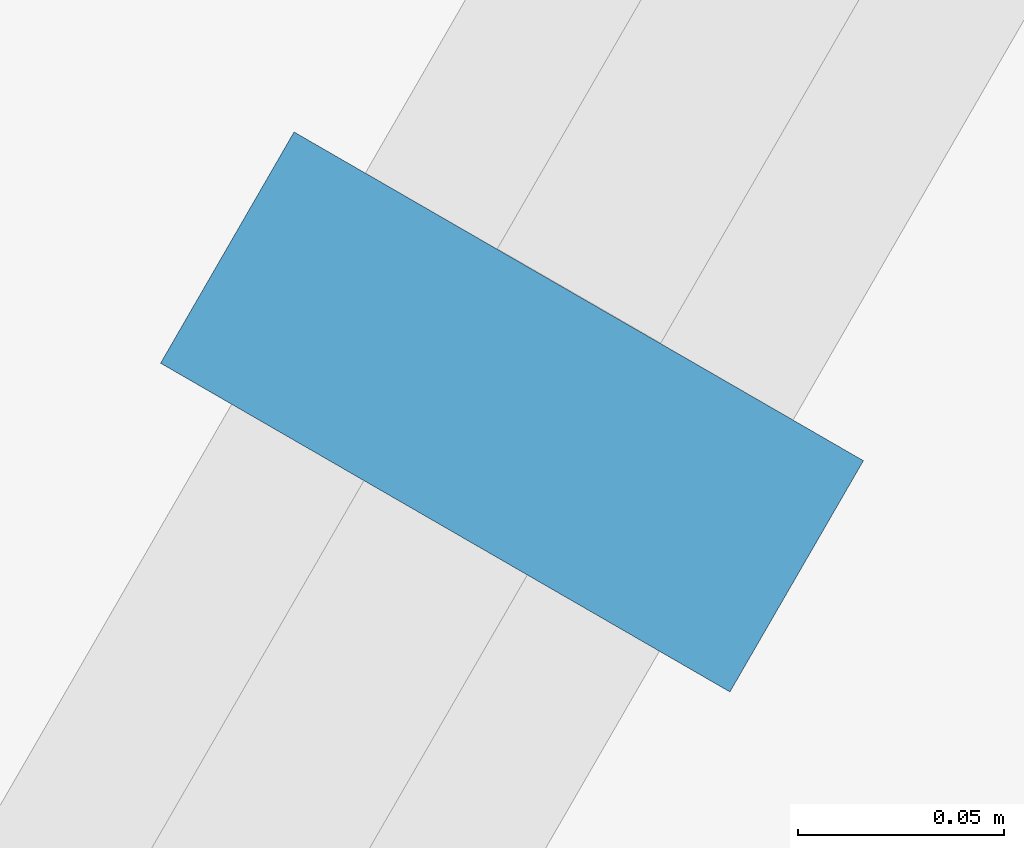
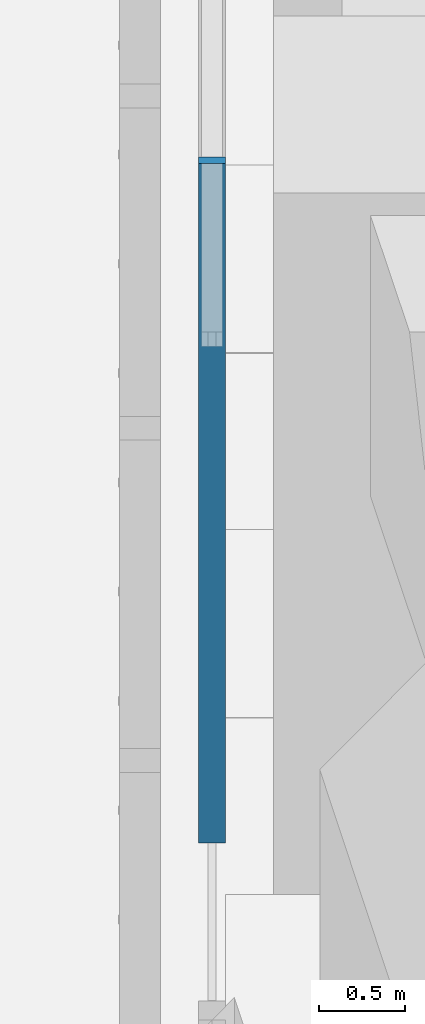
# One storey, part 137 of 228: 1 member, 1 element without a shape of its own.
"""IFC4 building model written with IfcOpenShell, lengths in metres."""

from ifc_helpers import new_model, si_unit, direction, frame, origin, origin_2d, place, context, subcontext, project, spatial, rectangle, extrude, material, material_profile, profile_set, type_object, element, aggregate, save


model = new_model("IFC4")

# Units and contexts
model_context = context("Model", 3, precision=1e-05, world=origin(), true_north=direction((0.0, 1.0)))
body_context = subcontext(model_context, "Body", "Model", "MODEL_VIEW")
ifc_project = project(units=[si_unit("LENGTHUNIT", "METRE"), si_unit("AREAUNIT", "SQUARE_METRE"), si_unit("VOLUMEUNIT", "CUBIC_METRE"), si_unit("PLANEANGLEUNIT", "RADIAN"), si_unit("MASSUNIT", "GRAM", prefix="KILO")], contexts=[model_context])

# Site, building, storey
site_placement = place(None, origin())
site = spatial("IfcSite", under=ifc_project, at=site_placement, CompositionType="ELEMENT")
building_placement = place(site_placement, origin())
building = spatial("IfcBuilding", under=site, at=building_placement, Name="Sandreach Pilgrim Tower", CompositionType="ELEMENT")
storey_placement = place(building_placement, frame((0.0, 0.0, 178.199951171875)))
storey = spatial("IfcBuildingStorey", under=building, at=storey_placement, Name="L44", CompositionType="ELEMENT", Elevation=178.199951171875)

# Curtain wall, member
ifc_material_1 = material(Name="Aluminium framed curtain wall", Category="aluminium")
curtain_wall_type = type_object("IfcCurtainWallType", Name="Upper hotel tower curtain wall", PredefinedType="NOTDEFINED", material=ifc_material_1)
curtain_wall_placement = place(storey_placement, origin())
curtain_wall = element("IfcCurtainWall", 1, at=curtain_wall_placement, inside=storey, type_object=curtain_wall_type, Name="CW-3 L44 NW", PredefinedType="NOTDEFINED")
ifc_material_2 = material(Name="Aluminium extrusion", Category="aluminium")
ifc_material_profile = material_profile(ifc_material_2, rectangle(XDim=0.06494140625, YDim=0.159912109375, at=origin_2d()), Name="CW-3M 65X160")
ifc_profile_set = profile_set([ifc_material_profile], Name="Aluminium extrusion")
member_type = type_object("IfcMemberType", Name="CW-3 mullion", PredefinedType="MULLION", material=ifc_profile_set)
member_placement = place(storey_placement, frame((-24.995849609375, 9.75634765625, 0.0), z_axis=(0.0, 0.0, 1.0), x_axis=(0.5, 0.866025403784, 0.0)))
member = element("IfcMember", 2, at=member_placement, type_object=member_type, Name="CW-3 mullion 2", PredefinedType="MULLION", context=body_context, shape_type="SweptSolid", body=[
    extrude(rectangle(XDim=0.06494140625, YDim=0.159912109375, at=origin_2d()), origin(), (0.0, 0.0, 1.0), 4.840087890625),
])
aggregate(curtain_wall, [member])

save(model, "model.ifc")
